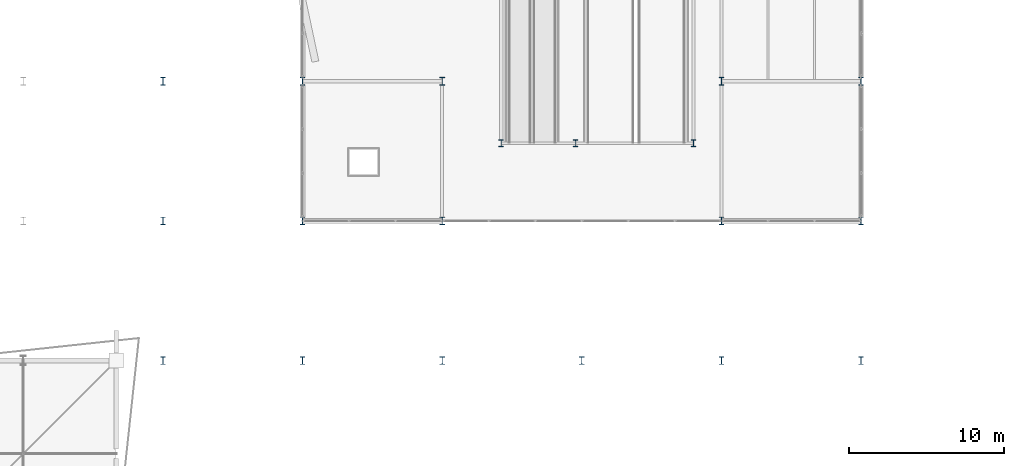
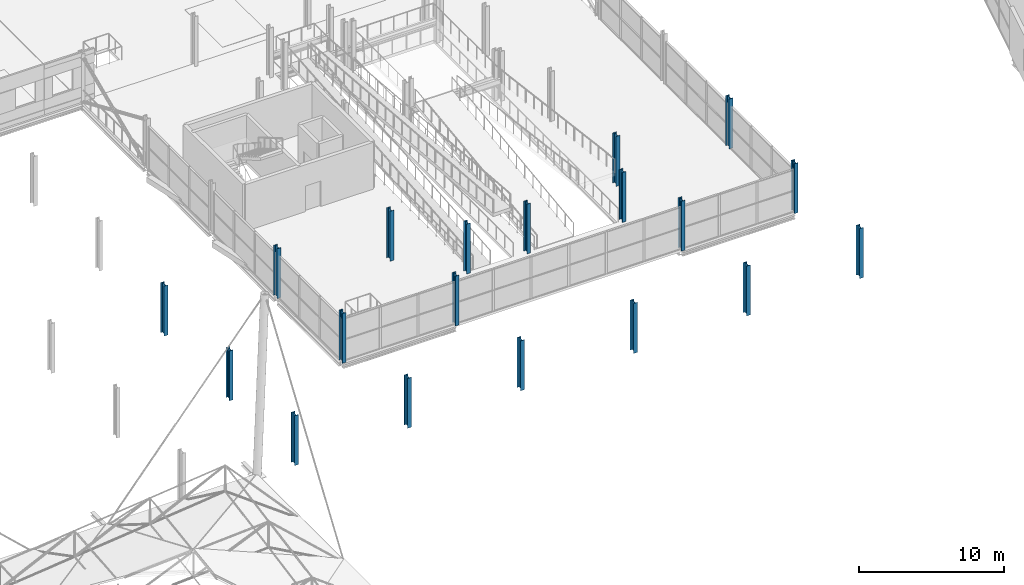
# One storey, part 5 of 132: 19 columns.
"""IFC4 building model written with IfcOpenShell, lengths in metres."""

from ifc_helpers import new_model, si_unit, direction, frame, origin, origin_2d, place, context, subcontext, project, spatial, i_section, extrude, material, material_profile, profile_set, type_object, element, save


model = new_model("IFC4")

# Units and contexts
model_context = context("Model", 3, precision=1e-05, world=origin(), true_north=direction((0.0, 1.0)))
body_context = subcontext(model_context, "Body", "Model", "MODEL_VIEW")
ifc_project = project(units=[si_unit("LENGTHUNIT", "METRE"), si_unit("AREAUNIT", "SQUARE_METRE"), si_unit("VOLUMEUNIT", "CUBIC_METRE"), si_unit("PLANEANGLEUNIT", "RADIAN"), si_unit("MASSUNIT", "GRAM", prefix="KILO")], contexts=[model_context])

# Site, building, storey
site_placement = place(None, origin())
site = spatial("IfcSite", under=ifc_project, at=site_placement, CompositionType="ELEMENT")
building_placement = place(site_placement, origin())
building = spatial("IfcBuilding", under=site, at=building_placement, Name="Deido Ridge Mobility Hub", CompositionType="ELEMENT")
storey_placement = place(building_placement, frame((0.0, 0.0, 8.39990234375)))
storey = spatial("IfcBuildingStorey", under=building, at=storey_placement, Name="L02", CompositionType="ELEMENT", Elevation=8.39990234375)

# Columns
ifc_material = material(Name="Steel S355J2 EN 10025-2", Category="steel")
ifc_material_profile_1 = material_profile(ifc_material, i_section(OverallWidth=0.300048828125, OverallDepth=0.449951171875, WebThickness=0.013916015625, FlangeThickness=0.02587890625, FilletRadius=0.027099609375, at=origin_2d()), Name="HEB 450")
ifc_profile_set_1 = profile_set([ifc_material_profile_1], Name="Steel S355J2 EN 10025-2")
column_type_1 = type_object("IfcColumnType", Name="COL-HEB450", PredefinedType="COLUMN", material=ifc_profile_set_1)
for number, where, z_axis, x_axis, name in (
    (1, (84.800048828125, 50.0, 0.0), (0.0, 0.0, 1.0), (1.0, 0.0, 0.0), "Structural column C6"),
    (2, (89.60009765625, 50.0, 0.0), (0.0, 0.0, 1.0), (1.0, 0.0, 0.0), "Structural column C6"),
    (3, (97.199951171875, 50.0, 0.0), (0.0, 0.0, 1.0), (1.0, 0.0, 0.0), "Structural column C6"),
):
    element("IfcColumn", number, at=place(storey_placement, frame(where, z_axis=z_axis, x_axis=x_axis)), inside=storey, type_object=column_type_1, Name=name, PredefinedType="COLUMN", context=body_context, shape_type="SweptSolid", body=[
        extrude(i_section(OverallWidth=0.300048828125, OverallDepth=0.449951171875, WebThickness=0.013916015625, FlangeThickness=0.02587890625, FilletRadius=0.027099609375, at=origin_2d()), origin(), (0.0, 0.0, 1.0), 4.2001953125),
    ])
ifc_material_profile_2 = material_profile(ifc_material, i_section(OverallWidth=0.300048828125, OverallDepth=0.5, WebThickness=0.014404296875, FlangeThickness=0.028076171875, FilletRadius=0.027099609375, at=origin_2d()), Name="HEB 500")
ifc_profile_set_2 = profile_set([ifc_material_profile_2], Name="Steel S355J2 EN 10025-2")
column_type_2 = type_object("IfcColumnType", Name="COL-HEB500", PredefinedType="COLUMN", material=ifc_profile_set_2)
for number, where, z_axis, x_axis, name in (
    (4, (72.0, 45.0, 0.0), (0.0, 0.0, 1.0), (1.0, 0.0, 0.0), "Structural column C5"),
    (5, (72.0, 54.0, 0.0), (0.0, 0.0, 1.0), (1.0, 0.0, 0.0), "Structural column C5"),
    (6, (81.0, 45.0, 0.0), (0.0, 0.0, 1.0), (1.0, 0.0, 0.0), "Structural column C5"),
    (7, (81.0, 54.0, 0.0), (0.0, 0.0, 1.0), (1.0, 0.0, 0.0), "Structural column C5"),
    (8, (99.0, 45.0, 0.0), (0.0, 0.0, 1.0), (1.0, 0.0, 0.0), "Structural column C5"),
    (9, (99.0, 54.0, 0.0), (0.0, 0.0, 1.0), (1.0, 0.0, 0.0), "Structural column C5"),
    (10, (108.0, 45.0, 0.0), (0.0, 0.0, 1.0), (1.0, 0.0, 0.0), "Structural column C5"),
    (11, (108.0, 54.0, 0.0), (0.0, 0.0, 1.0), (1.0, 0.0, 0.0), "Structural column C5"),
    (12, (63.0, 54.0, 0.0), (0.0, 0.0, 1.0), (1.0, 0.0, 0.0), "Structural column C5"),
    (13, (63.0, 36.0, 0.0), (0.0, 0.0, 1.0), (1.0, 0.0, 0.0), "Structural column C5"),
    (14, (63.0, 45.0, 0.0), (0.0, 0.0, 1.0), (1.0, 0.0, 0.0), "Structural column C5"),
    (15, (72.0, 36.0, 0.0), (0.0, 0.0, 1.0), (1.0, 0.0, 0.0), "Structural column C5"),
    (16, (81.0, 36.0, 0.0), (0.0, 0.0, 1.0), (1.0, 0.0, 0.0), "Structural column C5"),
    (17, (90.0, 36.0, 0.0), (0.0, 0.0, 1.0), (1.0, 0.0, 0.0), "Structural column C5"),
    (18, (99.0, 36.0, 0.0), (0.0, 0.0, 1.0), (1.0, 0.0, 0.0), "Structural column C5"),
    (19, (108.0, 36.0, 0.0), (0.0, 0.0, 1.0), (1.0, 0.0, 0.0), "Structural column C5"),
):
    element("IfcColumn", number, at=place(storey_placement, frame(where, z_axis=z_axis, x_axis=x_axis)), inside=storey, type_object=column_type_2, Name=name, PredefinedType="COLUMN", context=body_context, shape_type="SweptSolid", body=[
        extrude(i_section(OverallWidth=0.300048828125, OverallDepth=0.5, WebThickness=0.014404296875, FlangeThickness=0.028076171875, FilletRadius=0.027099609375, at=origin_2d()), origin(), (0.0, 0.0, 1.0), 4.2001953125),
    ])

save(model, "model.ifc")
